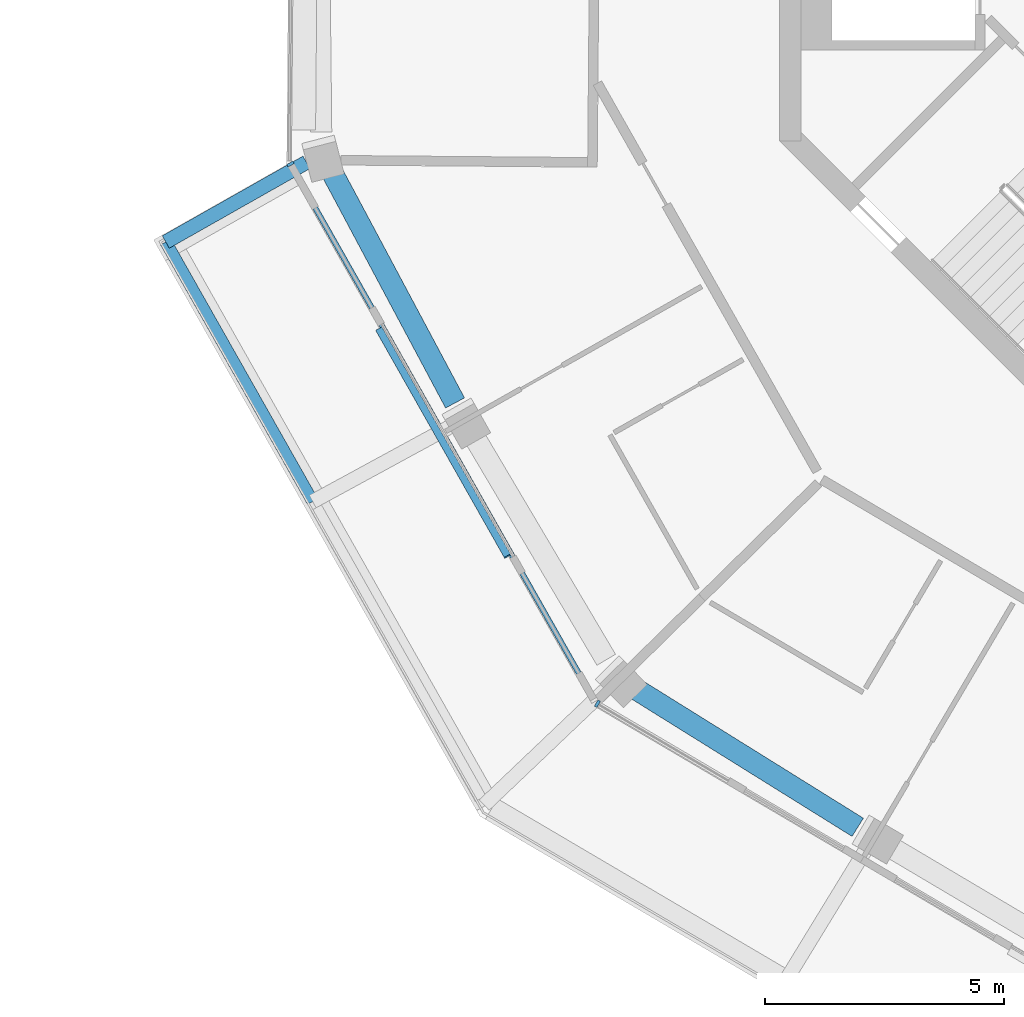
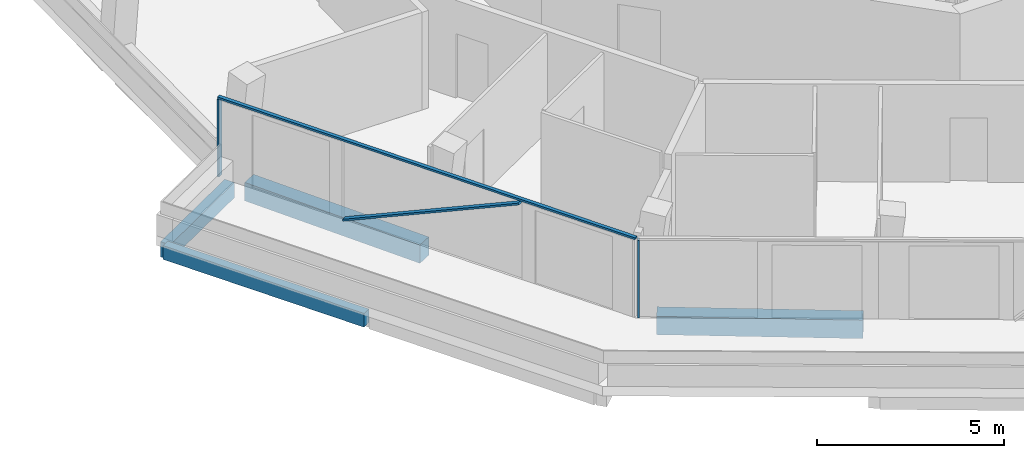
# One storey, part 3 of 24: 4 beams, 4 members, 2 elements without a shape of their own.
"""IFC4 building model written with IfcOpenShell, lengths in metres."""

from ifc_helpers import new_model, si_unit, direction, frame, origin, origin_2d, place, context, subcontext, project, spatial, rectangle, extrude, material, layer, layer_set, material_profile, profile_set, type_object, element, aggregate, save


model = new_model("IFC4")

# Units and contexts
model_context = context("Model", 3, precision=1e-05, world=origin(), true_north=direction((0.0, 1.0)))
body_context = subcontext(model_context, "Body", "Model", "MODEL_VIEW")
ifc_project = project(units=[si_unit("LENGTHUNIT", "METRE"), si_unit("AREAUNIT", "SQUARE_METRE"), si_unit("VOLUMEUNIT", "CUBIC_METRE"), si_unit("PLANEANGLEUNIT", "RADIAN"), si_unit("MASSUNIT", "GRAM", prefix="KILO")], contexts=[model_context])

# Site, building, storey
site_placement = place(None, origin())
site = spatial("IfcSite", under=ifc_project, at=site_placement, CompositionType="ELEMENT")
building_placement = place(site_placement, origin())
building = spatial("IfcBuilding", under=site, at=building_placement, Name="Verdalira Terraces Hotel", CompositionType="ELEMENT")
storey_placement = place(building_placement, frame((0.0, 0.0, 277.5)))
storey = spatial("IfcBuildingStorey", under=building, at=storey_placement, Name="L68", CompositionType="ELEMENT", Elevation=277.5)

# Beams
ifc_material_1 = material(Name="Concrete C40", Category="concrete")
ifc_material_profile_1 = material_profile(ifc_material_1, rectangle(XDim=0.300049, YDim=0.5, at=origin_2d()), Name="RC 300X500")
ifc_profile_set_1 = profile_set([ifc_material_profile_1], Name="Concrete C40")
beam_type_1 = type_object("IfcBeamType", Name="Balcony cantilever beam RC 300X500 C40", PredefinedType="BEAM", material=ifc_profile_set_1)
beam_1_placement = place(storey_placement, frame((-23.895752, -6.248779, -0.560059), z_axis=(-0.870175768, -0.492741446, 0.0), x_axis=(0.492741446, -0.870175768, 0.0)))
element("IfcBeam", 1, at=beam_1_placement, inside=storey, type_object=beam_type_1, Name="Balcony cantilever beam R12-3", PredefinedType="BEAM", context=body_context, shape_type="SweptSolid", body=[
    extrude(rectangle(XDim=0.300049, YDim=0.5, at=origin_2d()), origin(), (0.0, 0.0, 1.0), 3.385498),
])
ifc_material_2 = material(Name="Concrete C40", Category="concrete")
ifc_material_profile_2 = material_profile(ifc_material_2, rectangle(XDim=0.25, YDim=0.449951, at=origin_2d()), Name="RC 250X450")
ifc_profile_set_2 = profile_set([ifc_material_profile_2], Name="Concrete C40")
beam_type_2 = type_object("IfcBeamType", Name="Balcony edge beam RC 250X450 C40", PredefinedType="BEAM", material=ifc_profile_set_2)
beam_2_placement = place(storey_placement, frame((-26.841797, -7.916992, -0.534912), z_axis=(0.49270163, -0.870198313, 0.0), x_axis=(0.870198313, 0.49270163, 0.0)))
element("IfcBeam", 2, at=beam_2_placement, inside=storey, type_object=beam_type_2, Name="Balcony edge beam R12-2", PredefinedType="BEAM", context=body_context, shape_type="SweptSolid", body=[
    extrude(rectangle(XDim=0.25, YDim=0.449951, at=origin_2d()), origin(), (0.0, 0.0, 1.0), 6.240967),
])

# Curtain wall, member
ifc_material_3 = material(Name="Clear glass", Category="glass")
ifc_layer = layer(ifc_material_3, 0.14990234375)
ifc_layer_set = layer_set([ifc_layer], Name="CW1 curtain wall")
curtain_wall_type = type_object("IfcCurtainWallType", Name="CW1 curtain wall", PredefinedType="NOTDEFINED", material=ifc_layer_set)
curtain_wall_1_placement = place(storey_placement, origin())
curtain_wall_1 = element("IfcCurtainWall", 3, at=curtain_wall_1_placement, inside=storey, type_object=curtain_wall_type, Name="CW1 curtain wall L68 edge 12", PredefinedType="NOTDEFINED")
ifc_material_4 = material(Name="Terracotta frame", Category="masonry")
ifc_material_profile_3 = material_profile(ifc_material_4, rectangle(XDim=0.060059, YDim=0.149902, at=origin_2d()), Name="MU 60x150")
ifc_profile_set_3 = profile_set([ifc_material_profile_3], Name="Terracotta frame")
member_type_1 = type_object("IfcMemberType", Name="CW1 mullion 60x150", PredefinedType="MULLION", material=ifc_profile_set_3)
member_1_placement = place(storey_placement, frame((-24.231934, -6.285645, 0.0), z_axis=(0.0, 0.0, 1.0), x_axis=(0.492727342, -0.870183755, 0.0)))
member_1 = element("IfcMember", 4, at=member_1_placement, type_object=member_type_1, Name="CW1 mullion", PredefinedType="MULLION", context=body_context, shape_type="SweptSolid", body=[
    extrude(rectangle(XDim=0.060059, YDim=0.149902, at=origin_2d()), origin(), (0.0, 0.0, 1.0), 2.524902),
])

curtain_wall_2_placement = place(storey_placement, origin())
curtain_wall_2 = element("IfcCurtainWall", 5, at=curtain_wall_2_placement, inside=storey, type_object=curtain_wall_type, Name="CW1 curtain wall L68 edge 13", PredefinedType="NOTDEFINED")
member_2_placement = place(storey_placement, frame((-17.807861, -17.579834, 0.0), z_axis=(0.0, 0.0, 1.0), x_axis=(0.861806272, -0.507237567, 0.0)))
member_2 = element("IfcMember", 6, at=member_2_placement, type_object=member_type_1, Name="CW1 mullion", PredefinedType="MULLION", context=body_context, shape_type="SweptSolid", body=[
    extrude(rectangle(XDim=0.060059, YDim=0.149902, at=origin_2d()), origin(), (0.0, 0.0, 1.0), 2.524902),
])
aggregate(curtain_wall_2, [member_2])

# Member
ifc_material_5 = material(Name="Terracotta frame", Category="masonry")
ifc_material_profile_4 = material_profile(ifc_material_5, rectangle(XDim=0.110107, YDim=0.064941, at=origin_2d()), Name="TR 65x110")
ifc_profile_set_4 = profile_set([ifc_material_profile_4], Name="Terracotta frame")
member_type_2 = type_object("IfcMemberType", Name="CW1 transom 65x110", PredefinedType="USERDEFINED", material=ifc_profile_set_4)
member_3_placement = place(storey_placement, frame((-24.246582, -6.259521, 2.557617), z_axis=(0.492712621, -0.87019209, 0.0), x_axis=(0.87019209, 0.492712621, 0.0)))
member_3 = element("IfcMember", 7, at=member_3_placement, type_object=member_type_2, Name="CW1 transom", ObjectType="TRANSOM", PredefinedType="USERDEFINED", context=body_context, shape_type="SweptSolid", body=[
    extrude(rectangle(XDim=0.110107, YDim=0.064941, at=origin_2d()), origin(), (0.0, 0.0, 1.0), 12.959961),
])

ifc_material_6 = material(Name="Terracotta frame", Category="masonry")
ifc_material_profile_5 = material_profile(ifc_material_6, rectangle(XDim=0.149902, YDim=0.060059, at=origin_2d()), Name="GB 60x150")
ifc_profile_set_5 = profile_set([ifc_material_profile_5], Name="Terracotta frame")
member_type_3 = type_object("IfcMemberType", Name="Diagonal glazing bar 60x150", PredefinedType="USERDEFINED", material=ifc_profile_set_5)
member_4_placement = place(storey_placement, frame((-22.378174, -9.73999, 0.028076), z_axis=(0.44897632, -0.792938945, 0.411907871), x_axis=(0.870189594, 0.49271703, 0.0)))
member_4 = element("IfcMember", 8, at=member_4_placement, type_object=member_type_3, Name="Diagonal glazing bar", ObjectType="GLAZING BAR", PredefinedType="USERDEFINED", context=body_context, shape_type="SweptSolid", body=[
    extrude(rectangle(XDim=0.149902, YDim=0.060059, at=origin_2d()), origin(), (0.0, 0.0, 1.0), 5.993408),
])

aggregate(curtain_wall_1, [member_1, member_3, member_4])

# Beams
ifc_material_7 = material(Name="Concrete C40", Category="concrete")
ifc_material_profile_6 = material_profile(ifc_material_7, rectangle(XDim=0.449951, YDim=0.600098, at=origin_2d()), Name="RC 450X600")
ifc_profile_set_6 = profile_set([ifc_material_profile_6], Name="Concrete C40")
beam_type_3 = type_object("IfcBeamType", Name="Spandrel beam RC 450X600 C40", PredefinedType="SPANDREL", material=ifc_profile_set_6)
for number, where, z_axis, x_axis, name in (
    (9, (-23.386719, -6.411865, -0.610107), (0.470677702, -0.88230522, 0.0), (0.88230522, 0.470677702, 0.0), "Spandrel beam B06"),
    (10, (-17.047607, -17.246094, -0.610107), (0.848782017, -0.528742932, 0.0), (0.528742932, 0.848782017, 0.0), "Spandrel beam B08"),
):
    element("IfcBeam", number, at=place(storey_placement, frame(where, z_axis=z_axis, x_axis=x_axis)), inside=storey, type_object=beam_type_3, Name=name, PredefinedType="SPANDREL", context=body_context, shape_type="SweptSolid", body=[
        extrude(rectangle(XDim=0.449951, YDim=0.600098, at=origin_2d()), origin(), (0.0, 0.0, 1.0), 5.523682),
    ])

save(model, "model.ifc")
